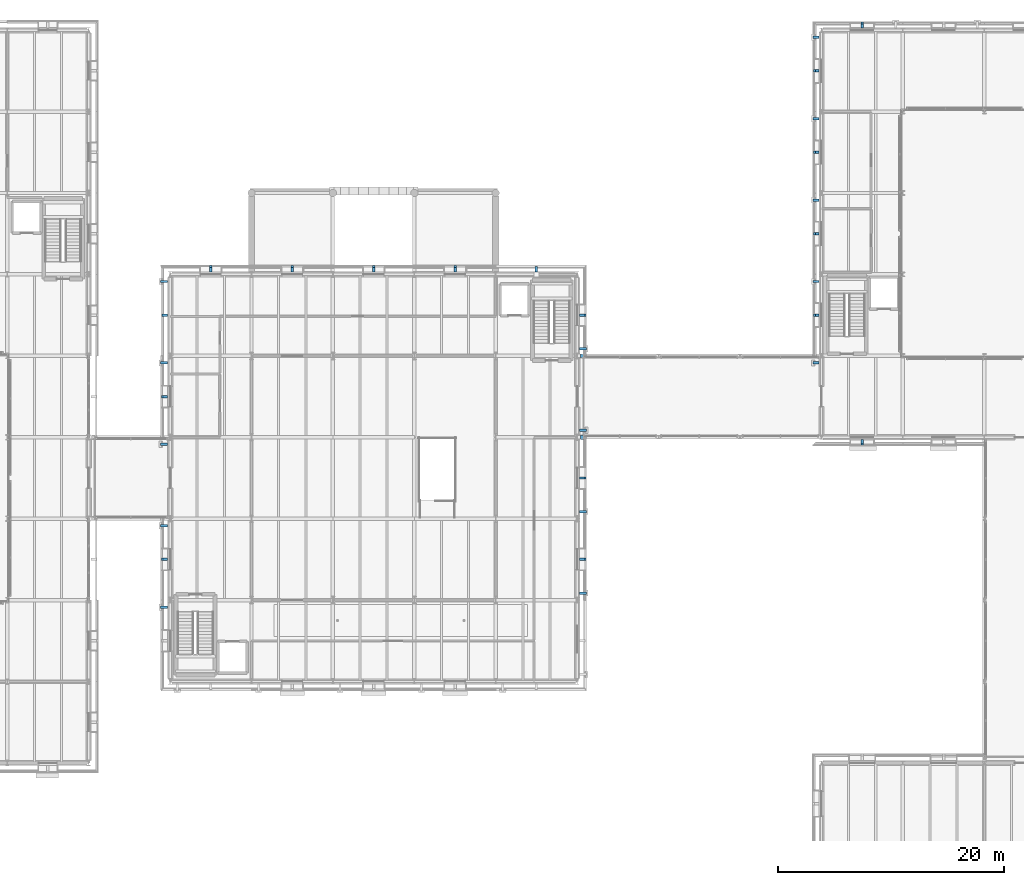
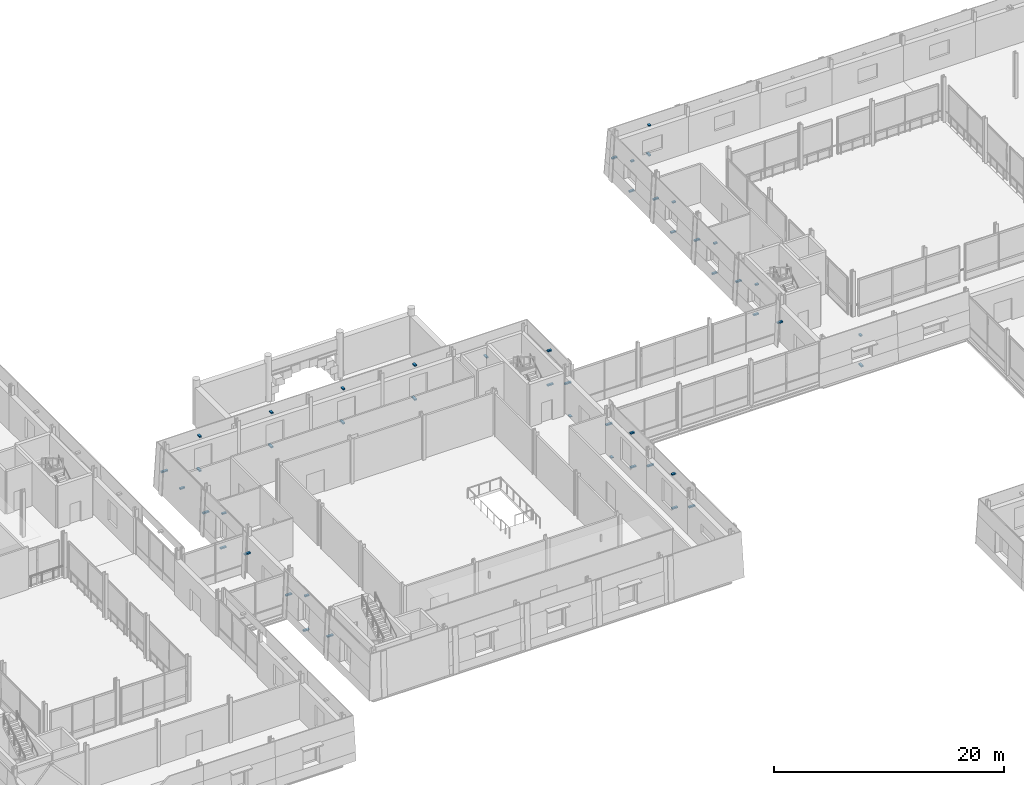
# One storey, part 96 of 121: 48 discrete accessories.
"""IFC4 building model written with IfcOpenShell, lengths in metres."""

from ifc_helpers import new_model, si_unit, direction, frame, origin, origin_2d, place, context, subcontext, project, spatial, rectangle, extrude, material, layer, layer_set, type_object, element, save


model = new_model("IFC4")

# Units and contexts
model_context = context("Model", 3, precision=1e-05, world=origin(), true_north=direction((0.0, 1.0)))
body_context = subcontext(model_context, "Body", "Model", "MODEL_VIEW")
ifc_project = project(units=[si_unit("LENGTHUNIT", "METRE"), si_unit("AREAUNIT", "SQUARE_METRE"), si_unit("VOLUMEUNIT", "CUBIC_METRE"), si_unit("PLANEANGLEUNIT", "RADIAN"), si_unit("MASSUNIT", "GRAM", prefix="KILO")], contexts=[model_context])

# Site, building, storey
site_placement = place(None, origin())
site = spatial("IfcSite", under=ifc_project, at=site_placement, CompositionType="ELEMENT")
building_placement = place(site_placement, origin())
building = spatial("IfcBuilding", under=site, at=building_placement, Name="Narikvali Park Central Library", CompositionType="ELEMENT")
storey_placement = place(building_placement, frame((0.0, 0.0, 5.39990234375)))
storey = spatial("IfcBuildingStorey", under=building, at=storey_placement, Name="L01", CompositionType="ELEMENT", Elevation=5.39990234375)

# Discrete accessories
ifc_material = material(Name="Brushed Stainless Steel S355", Category="steel")
ifc_layer_1 = layer(ifc_material, 0.139892578125, Name="Brushed Stainless Steel S355")
ifc_layer_set_1 = layer_set([ifc_layer_1], Name="Brushed Stainless Steel S355")
discrete_accessory_type_1 = type_object("IfcDiscreteAccessoryType", Name="Cladding Stainless Tie-Back Corbel Bracket", PredefinedType="BRACKET", material=ifc_layer_set_1)
discrete_accessory_1_placement = place(storey_placement, frame((101.325439453125, 65.425048828125, 2.330078125), z_axis=(0.0, 0.0, 1.0), x_axis=(1.0, 0.0, 0.0)))
element("IfcDiscreteAccessory", 1, at=discrete_accessory_1_placement, inside=storey, type_object=discrete_accessory_type_1, Name="Limestone Cladding Tie-Back Bracket V1-PIL-L01-E-B02", PredefinedType="BRACKET", context=body_context, shape_type="SweptSolid", body=[
    extrude(rectangle(XDim=0.630859375, YDim=0.219970703125, at=origin_2d()), origin(), (0.0, 0.0, 1.0), 0.139892578125),
])
discrete_accessory_2_placement = place(storey_placement, frame((101.29541015625, 68.39990234375, 0.38037109375), z_axis=(0.0, 0.0, 1.0), x_axis=(1.0, 0.0, 0.0)))
element("IfcDiscreteAccessory", 2, at=discrete_accessory_2_placement, inside=storey, type_object=discrete_accessory_type_1, Name="Limestone Cladding Tie-Back Bracket V1-CLD-L01-E-B02-SP", PredefinedType="BRACKET", context=body_context, shape_type="SweptSolid", body=[
    extrude(rectangle(XDim=0.570556640625, YDim=0.219970703125, at=origin_2d()), origin(), (0.0, 0.0, 1.0), 0.139892578125),
])
discrete_accessory_3_placement = place(storey_placement, frame((101.22119140625, 68.39990234375, 4.00537109375), z_axis=(0.0, 0.0, 1.0), x_axis=(1.0, 0.0, 0.0)))
element("IfcDiscreteAccessory", 3, at=discrete_accessory_3_placement, inside=storey, type_object=discrete_accessory_type_1, Name="Limestone Cladding Tie-Back Bracket V1-CLD-L01-E-B02-LN", PredefinedType="BRACKET", context=body_context, shape_type="SweptSolid", body=[
    extrude(rectangle(XDim=0.42236328125, YDim=0.219970703125, at=origin_2d()), origin(), (0.0, 0.0, 1.0), 0.139892578125),
])
discrete_accessory_4_placement = place(storey_placement, frame((101.325439453125, 72.625, 2.330078125), z_axis=(0.0, 0.0, 1.0), x_axis=(1.0, 0.0, 0.0)))
element("IfcDiscreteAccessory", 4, at=discrete_accessory_4_placement, inside=storey, type_object=discrete_accessory_type_1, Name="Limestone Cladding Tie-Back Bracket V1-PIL-L01-E-B03", PredefinedType="BRACKET", context=body_context, shape_type="SweptSolid", body=[
    extrude(rectangle(XDim=0.630859375, YDim=0.219970703125, at=origin_2d()), origin(), (0.0, 0.0, 1.0), 0.139892578125),
])
discrete_accessory_5_placement = place(storey_placement, frame((101.29541015625, 75.60009765625, 0.38037109375), z_axis=(0.0, 0.0, 1.0), x_axis=(1.0, 0.0, 0.0)))
element("IfcDiscreteAccessory", 5, at=discrete_accessory_5_placement, inside=storey, type_object=discrete_accessory_type_1, Name="Limestone Cladding Tie-Back Bracket V1-CLD-L01-E-B03-SP", PredefinedType="BRACKET", context=body_context, shape_type="SweptSolid", body=[
    extrude(rectangle(XDim=0.570556640625, YDim=0.219970703125, at=origin_2d()), origin(), (0.0, 0.0, 1.0), 0.139892578125),
])
discrete_accessory_6_placement = place(storey_placement, frame((101.22119140625, 75.60009765625, 4.00537109375), z_axis=(0.0, 0.0, 1.0), x_axis=(1.0, 0.0, 0.0)))
element("IfcDiscreteAccessory", 6, at=discrete_accessory_6_placement, inside=storey, type_object=discrete_accessory_type_1, Name="Limestone Cladding Tie-Back Bracket V1-CLD-L01-E-B03-LN", PredefinedType="BRACKET", context=body_context, shape_type="SweptSolid", body=[
    extrude(rectangle(XDim=0.42236328125, YDim=0.219970703125, at=origin_2d()), origin(), (0.0, 0.0, 1.0), 0.139892578125),
])
for number, where, z_axis, x_axis, name in (
    (7, (101.325439453125, 79.824951171875, 2.330078125), (0.0, 0.0, 1.0), (1.0, 0.0, 0.0), "Limestone Cladding Tie-Back Bracket V1-PIL-L01-E-B04"),
    (8, (101.325439453125, 87.02490234375, 2.330078125), (0.0, 0.0, 1.0), (1.0, 0.0, 0.0), "Limestone Cladding Tie-Back Bracket V1-PIL-L01-E-B05"),
):
    element("IfcDiscreteAccessory", number, at=place(storey_placement, frame(where, z_axis=z_axis, x_axis=x_axis)), inside=storey, type_object=discrete_accessory_type_1, Name=name, PredefinedType="BRACKET", context=body_context, shape_type="SweptSolid", body=[
        extrude(rectangle(XDim=0.630859375, YDim=0.219970703125, at=origin_2d()), origin(), (0.0, 0.0, 1.0), 0.139892578125),
    ])
discrete_accessory_7_placement = place(storey_placement, frame((101.29541015625, 90.0, 0.38037109375), z_axis=(0.0, 0.0, 1.0), x_axis=(1.0, 0.0, 0.0)))
element("IfcDiscreteAccessory", 9, at=discrete_accessory_7_placement, inside=storey, type_object=discrete_accessory_type_1, Name="Limestone Cladding Tie-Back Bracket V1-CLD-L01-E-B05-SP", PredefinedType="BRACKET", context=body_context, shape_type="SweptSolid", body=[
    extrude(rectangle(XDim=0.570556640625, YDim=0.219970703125, at=origin_2d()), origin(), (0.0, 0.0, 1.0), 0.139892578125),
])
discrete_accessory_8_placement = place(storey_placement, frame((101.22119140625, 90.0, 4.00537109375), z_axis=(0.0, 0.0, 1.0), x_axis=(1.0, 0.0, 0.0)))
element("IfcDiscreteAccessory", 10, at=discrete_accessory_8_placement, inside=storey, type_object=discrete_accessory_type_1, Name="Limestone Cladding Tie-Back Bracket V1-CLD-L01-E-B05-LN", PredefinedType="BRACKET", context=body_context, shape_type="SweptSolid", body=[
    extrude(rectangle(XDim=0.42236328125, YDim=0.219970703125, at=origin_2d()), origin(), (0.0, 0.0, 1.0), 0.139892578125),
])
discrete_accessory_9_placement = place(storey_placement, frame((97.199951171875, 94.055419921875, 2.330078125), z_axis=(0.0, 0.0, 1.0), x_axis=(1.0, 0.0, 0.0)))
element("IfcDiscreteAccessory", 11, at=discrete_accessory_9_placement, inside=storey, type_object=discrete_accessory_type_1, Name="Limestone Cladding Tie-Back Bracket V1-CLD-L01-N-B01-FULL", PredefinedType="BRACKET", context=body_context, shape_type="SweptSolid", body=[
    extrude(rectangle(XDim=0.219970703125, YDim=0.49072265625, at=origin_2d()), origin(), (0.0, 0.0, 1.0), 0.139892578125),
])
discrete_accessory_10_placement = place(storey_placement, frame((90.0, 94.09521484375, 0.38037109375), z_axis=(0.0, 0.0, 1.0), x_axis=(1.0, 0.0, 0.0)))
element("IfcDiscreteAccessory", 12, at=discrete_accessory_10_placement, inside=storey, type_object=discrete_accessory_type_1, Name="Limestone Cladding Tie-Back Bracket V1-CLD-L01-N-B02-SP", PredefinedType="BRACKET", context=body_context, shape_type="SweptSolid", body=[
    extrude(rectangle(XDim=0.219970703125, YDim=0.570556640625, at=origin_2d()), origin(), (0.0, 0.0, 1.0), 0.139892578125),
])
discrete_accessory_11_placement = place(storey_placement, frame((90.0, 94.02099609375, 4.00537109375), z_axis=(0.0, 0.0, 1.0), x_axis=(1.0, 0.0, 0.0)))
element("IfcDiscreteAccessory", 13, at=discrete_accessory_11_placement, inside=storey, type_object=discrete_accessory_type_1, Name="Limestone Cladding Tie-Back Bracket V1-CLD-L01-N-B02-LN", PredefinedType="BRACKET", context=body_context, shape_type="SweptSolid", body=[
    extrude(rectangle(XDim=0.219970703125, YDim=0.42236328125, at=origin_2d()), origin(), (0.0, 0.0, 1.0), 0.139892578125),
])
discrete_accessory_12_placement = place(storey_placement, frame((82.800048828125, 94.09521484375, 0.38037109375), z_axis=(0.0, 0.0, 1.0), x_axis=(1.0, 0.0, 0.0)))
element("IfcDiscreteAccessory", 14, at=discrete_accessory_12_placement, inside=storey, type_object=discrete_accessory_type_1, Name="Limestone Cladding Tie-Back Bracket V1-CLD-L01-N-B03-SP", PredefinedType="BRACKET", context=body_context, shape_type="SweptSolid", body=[
    extrude(rectangle(XDim=0.219970703125, YDim=0.570556640625, at=origin_2d()), origin(), (0.0, 0.0, 1.0), 0.139892578125),
])
discrete_accessory_13_placement = place(storey_placement, frame((82.800048828125, 94.02099609375, 4.00537109375), z_axis=(0.0, 0.0, 1.0), x_axis=(1.0, 0.0, 0.0)))
element("IfcDiscreteAccessory", 15, at=discrete_accessory_13_placement, inside=storey, type_object=discrete_accessory_type_1, Name="Limestone Cladding Tie-Back Bracket V1-CLD-L01-N-B03-LN", PredefinedType="BRACKET", context=body_context, shape_type="SweptSolid", body=[
    extrude(rectangle(XDim=0.219970703125, YDim=0.42236328125, at=origin_2d()), origin(), (0.0, 0.0, 1.0), 0.139892578125),
])
discrete_accessory_14_placement = place(storey_placement, frame((75.60009765625, 94.09521484375, 0.38037109375), z_axis=(0.0, 0.0, 1.0), x_axis=(1.0, 0.0, 0.0)))
element("IfcDiscreteAccessory", 16, at=discrete_accessory_14_placement, inside=storey, type_object=discrete_accessory_type_1, Name="Limestone Cladding Tie-Back Bracket V1-CLD-L01-N-B04-SP", PredefinedType="BRACKET", context=body_context, shape_type="SweptSolid", body=[
    extrude(rectangle(XDim=0.219970703125, YDim=0.570556640625, at=origin_2d()), origin(), (0.0, 0.0, 1.0), 0.139892578125),
])
discrete_accessory_15_placement = place(storey_placement, frame((75.60009765625, 94.02099609375, 4.00537109375), z_axis=(0.0, 0.0, 1.0), x_axis=(1.0, 0.0, 0.0)))
element("IfcDiscreteAccessory", 17, at=discrete_accessory_15_placement, inside=storey, type_object=discrete_accessory_type_1, Name="Limestone Cladding Tie-Back Bracket V1-CLD-L01-N-B04-LN", PredefinedType="BRACKET", context=body_context, shape_type="SweptSolid", body=[
    extrude(rectangle(XDim=0.219970703125, YDim=0.42236328125, at=origin_2d()), origin(), (0.0, 0.0, 1.0), 0.139892578125),
])
discrete_accessory_16_placement = place(storey_placement, frame((68.39990234375, 94.09521484375, 0.38037109375), z_axis=(0.0, 0.0, 1.0), x_axis=(1.0, 0.0, 0.0)))
element("IfcDiscreteAccessory", 18, at=discrete_accessory_16_placement, inside=storey, type_object=discrete_accessory_type_1, Name="Limestone Cladding Tie-Back Bracket V1-CLD-L01-N-B05-SP", PredefinedType="BRACKET", context=body_context, shape_type="SweptSolid", body=[
    extrude(rectangle(XDim=0.219970703125, YDim=0.570556640625, at=origin_2d()), origin(), (0.0, 0.0, 1.0), 0.139892578125),
])
discrete_accessory_17_placement = place(storey_placement, frame((68.39990234375, 94.02099609375, 4.00537109375), z_axis=(0.0, 0.0, 1.0), x_axis=(1.0, 0.0, 0.0)))
element("IfcDiscreteAccessory", 19, at=discrete_accessory_17_placement, inside=storey, type_object=discrete_accessory_type_1, Name="Limestone Cladding Tie-Back Bracket V1-CLD-L01-N-B05-LN", PredefinedType="BRACKET", context=body_context, shape_type="SweptSolid", body=[
    extrude(rectangle(XDim=0.219970703125, YDim=0.42236328125, at=origin_2d()), origin(), (0.0, 0.0, 1.0), 0.139892578125),
])
discrete_accessory_18_placement = place(storey_placement, frame((64.274658203125, 92.97509765625, 2.330078125), z_axis=(0.0, 0.0, 1.0), x_axis=(1.0, 0.0, 0.0)))
element("IfcDiscreteAccessory", 20, at=discrete_accessory_18_placement, inside=storey, type_object=discrete_accessory_type_1, Name="Limestone Cladding Tie-Back Bracket V1-PIL-L01-W-B01", PredefinedType="BRACKET", context=body_context, shape_type="SweptSolid", body=[
    extrude(rectangle(XDim=0.630859375, YDim=0.219970703125, at=origin_2d()), origin(), (0.0, 0.0, 1.0), 0.139892578125),
])
discrete_accessory_19_placement = place(storey_placement, frame((64.344482421875, 90.0, 2.330078125), z_axis=(0.0, 0.0, 1.0), x_axis=(1.0, 0.0, 0.0)))
element("IfcDiscreteAccessory", 21, at=discrete_accessory_19_placement, inside=storey, type_object=discrete_accessory_type_1, Name="Limestone Cladding Tie-Back Bracket V1-CLD-L01-W-B01-FULL", PredefinedType="BRACKET", context=body_context, shape_type="SweptSolid", body=[
    extrude(rectangle(XDim=0.49072265625, YDim=0.219970703125, at=origin_2d()), origin(), (0.0, 0.0, 1.0), 0.139892578125),
])
discrete_accessory_20_placement = place(storey_placement, frame((64.274658203125, 85.77490234375, 2.330078125), z_axis=(0.0, 0.0, 1.0), x_axis=(1.0, 0.0, 0.0)))
element("IfcDiscreteAccessory", 22, at=discrete_accessory_20_placement, inside=storey, type_object=discrete_accessory_type_1, Name="Limestone Cladding Tie-Back Bracket V1-PIL-L01-W-B02", PredefinedType="BRACKET", context=body_context, shape_type="SweptSolid", body=[
    extrude(rectangle(XDim=0.630859375, YDim=0.219970703125, at=origin_2d()), origin(), (0.0, 0.0, 1.0), 0.139892578125),
])
discrete_accessory_21_placement = place(storey_placement, frame((64.3046875, 82.800048828125, 0.38037109375), z_axis=(0.0, 0.0, 1.0), x_axis=(1.0, 0.0, 0.0)))
element("IfcDiscreteAccessory", 23, at=discrete_accessory_21_placement, inside=storey, type_object=discrete_accessory_type_1, Name="Limestone Cladding Tie-Back Bracket V1-CLD-L01-W-B02-SP", PredefinedType="BRACKET", context=body_context, shape_type="SweptSolid", body=[
    extrude(rectangle(XDim=0.570556640625, YDim=0.219970703125, at=origin_2d()), origin(), (0.0, 0.0, 1.0), 0.139892578125),
])
discrete_accessory_22_placement = place(storey_placement, frame((64.37890625, 82.800048828125, 4.00537109375), z_axis=(0.0, 0.0, 1.0), x_axis=(1.0, 0.0, 0.0)))
element("IfcDiscreteAccessory", 24, at=discrete_accessory_22_placement, inside=storey, type_object=discrete_accessory_type_1, Name="Limestone Cladding Tie-Back Bracket V1-CLD-L01-W-B02-LN", PredefinedType="BRACKET", context=body_context, shape_type="SweptSolid", body=[
    extrude(rectangle(XDim=0.42236328125, YDim=0.219970703125, at=origin_2d()), origin(), (0.0, 0.0, 1.0), 0.139892578125),
])
for number, where, z_axis, x_axis, name in (
    (25, (64.274658203125, 78.574951171875, 2.330078125), (0.0, 0.0, 1.0), (1.0, 0.0, 0.0), "Limestone Cladding Tie-Back Bracket V1-PIL-L01-W-B03"),
    (26, (64.274658203125, 71.375, 2.330078125), (0.0, 0.0, 1.0), (1.0, 0.0, 0.0), "Limestone Cladding Tie-Back Bracket V1-PIL-L01-W-B04"),
):
    element("IfcDiscreteAccessory", number, at=place(storey_placement, frame(where, z_axis=z_axis, x_axis=x_axis)), inside=storey, type_object=discrete_accessory_type_1, Name=name, PredefinedType="BRACKET", context=body_context, shape_type="SweptSolid", body=[
        extrude(rectangle(XDim=0.630859375, YDim=0.219970703125, at=origin_2d()), origin(), (0.0, 0.0, 1.0), 0.139892578125),
    ])
discrete_accessory_23_placement = place(storey_placement, frame((64.3046875, 68.39990234375, 0.38037109375), z_axis=(0.0, 0.0, 1.0), x_axis=(1.0, 0.0, 0.0)))
element("IfcDiscreteAccessory", 27, at=discrete_accessory_23_placement, inside=storey, type_object=discrete_accessory_type_1, Name="Limestone Cladding Tie-Back Bracket V1-CLD-L01-W-B04-SP", PredefinedType="BRACKET", context=body_context, shape_type="SweptSolid", body=[
    extrude(rectangle(XDim=0.570556640625, YDim=0.219970703125, at=origin_2d()), origin(), (0.0, 0.0, 1.0), 0.139892578125),
])
discrete_accessory_24_placement = place(storey_placement, frame((64.37890625, 68.39990234375, 4.00537109375), z_axis=(0.0, 0.0, 1.0), x_axis=(1.0, 0.0, 0.0)))
element("IfcDiscreteAccessory", 28, at=discrete_accessory_24_placement, inside=storey, type_object=discrete_accessory_type_1, Name="Limestone Cladding Tie-Back Bracket V1-CLD-L01-W-B04-LN", PredefinedType="BRACKET", context=body_context, shape_type="SweptSolid", body=[
    extrude(rectangle(XDim=0.42236328125, YDim=0.219970703125, at=origin_2d()), origin(), (0.0, 0.0, 1.0), 0.139892578125),
])
discrete_accessory_25_placement = place(storey_placement, frame((64.274658203125, 64.175048828125, 2.330078125), z_axis=(0.0, 0.0, 1.0), x_axis=(1.0, 0.0, 0.0)))
element("IfcDiscreteAccessory", 29, at=discrete_accessory_25_placement, inside=storey, type_object=discrete_accessory_type_1, Name="Limestone Cladding Tie-Back Bracket V1-PIL-L01-W-B05", PredefinedType="BRACKET", context=body_context, shape_type="SweptSolid", body=[
    extrude(rectangle(XDim=0.630859375, YDim=0.219970703125, at=origin_2d()), origin(), (0.0, 0.0, 1.0), 0.139892578125),
])
discrete_accessory_26_placement = place(storey_placement, frame((126.0, 78.743408203125, 0.60498046875), z_axis=(0.0, 0.0, 1.0), x_axis=(1.0, 0.0, 0.0)))
element("IfcDiscreteAccessory", 30, at=discrete_accessory_26_placement, inside=storey, type_object=discrete_accessory_type_1, Name="Limestone Cladding Tie-Back Bracket V3-CLD-L01-S-B01-SP", PredefinedType="BRACKET", context=body_context, shape_type="SweptSolid", body=[
    extrude(rectangle(XDim=0.219970703125, YDim=0.493408203125, at=origin_2d()), origin(), (0.0, 0.0, 1.0), 0.139892578125),
])
discrete_accessory_27_placement = place(storey_placement, frame((126.0, 78.825439453125, 3.75537109375), z_axis=(0.0, 0.0, 1.0), x_axis=(1.0, 0.0, 0.0)))
element("IfcDiscreteAccessory", 31, at=discrete_accessory_27_placement, inside=storey, type_object=discrete_accessory_type_1, Name="Limestone Cladding Tie-Back Bracket V3-CLD-L01-S-B01-LN", PredefinedType="BRACKET", context=body_context, shape_type="SweptSolid", body=[
    extrude(rectangle(XDim=0.219970703125, YDim=0.3291015625, at=origin_2d()), origin(), (0.0, 0.0, 1.0), 0.139892578125),
])
discrete_accessory_28_placement = place(storey_placement, frame((126.0, 115.65673828125, 0.60498046875), z_axis=(0.0, 0.0, 1.0), x_axis=(1.0, 0.0, 0.0)))
element("IfcDiscreteAccessory", 32, at=discrete_accessory_28_placement, inside=storey, type_object=discrete_accessory_type_1, Name="Limestone Cladding Tie-Back Bracket V3-CLD-L01-N-B06-SP", PredefinedType="BRACKET", context=body_context, shape_type="SweptSolid", body=[
    extrude(rectangle(XDim=0.219970703125, YDim=0.493408203125, at=origin_2d()), origin(), (0.0, 0.0, 1.0), 0.139892578125),
])
discrete_accessory_29_placement = place(storey_placement, frame((126.0, 115.57470703125, 3.75537109375), z_axis=(0.0, 0.0, 1.0), x_axis=(1.0, 0.0, 0.0)))
element("IfcDiscreteAccessory", 33, at=discrete_accessory_29_placement, inside=storey, type_object=discrete_accessory_type_1, Name="Limestone Cladding Tie-Back Bracket V3-CLD-L01-N-B06-LN", PredefinedType="BRACKET", context=body_context, shape_type="SweptSolid", body=[
    extrude(rectangle(XDim=0.219970703125, YDim=0.3291015625, at=origin_2d()), origin(), (0.0, 0.0, 1.0), 0.139892578125),
])
discrete_accessory_30_placement = place(storey_placement, frame((121.918212890625, 114.574951171875, 2.330078125), z_axis=(0.0, 0.0, 1.0), x_axis=(1.0, 0.0, 0.0)))
element("IfcDiscreteAccessory", 34, at=discrete_accessory_30_placement, inside=storey, type_object=discrete_accessory_type_1, Name="Limestone Cladding Tie-Back Bracket V3-PIL-L01-W-B01", PredefinedType="BRACKET", context=body_context, shape_type="SweptSolid", body=[
    extrude(rectangle(XDim=0.54345703125, YDim=0.219970703125, at=origin_2d()), origin(), (0.0, 0.0, 1.0), 0.139892578125),
])
discrete_accessory_31_placement = place(storey_placement, frame((121.943359375, 111.60009765625, 0.60498046875), z_axis=(0.0, 0.0, 1.0), x_axis=(1.0, 0.0, 0.0)))
element("IfcDiscreteAccessory", 35, at=discrete_accessory_31_placement, inside=storey, type_object=discrete_accessory_type_1, Name="Limestone Cladding Tie-Back Bracket V3-CLD-L01-W-B01-SP", PredefinedType="BRACKET", context=body_context, shape_type="SweptSolid", body=[
    extrude(rectangle(XDim=0.493408203125, YDim=0.219970703125, at=origin_2d()), origin(), (0.0, 0.0, 1.0), 0.139892578125),
])
discrete_accessory_32_placement = place(storey_placement, frame((122.025390625, 111.60009765625, 3.75537109375), z_axis=(0.0, 0.0, 1.0), x_axis=(1.0, 0.0, 0.0)))
element("IfcDiscreteAccessory", 36, at=discrete_accessory_32_placement, inside=storey, type_object=discrete_accessory_type_1, Name="Limestone Cladding Tie-Back Bracket V3-CLD-L01-W-B01-LN", PredefinedType="BRACKET", context=body_context, shape_type="SweptSolid", body=[
    extrude(rectangle(XDim=0.3291015625, YDim=0.219970703125, at=origin_2d()), origin(), (0.0, 0.0, 1.0), 0.139892578125),
])
discrete_accessory_33_placement = place(storey_placement, frame((121.918212890625, 107.375, 2.330078125), z_axis=(0.0, 0.0, 1.0), x_axis=(1.0, 0.0, 0.0)))
element("IfcDiscreteAccessory", 37, at=discrete_accessory_33_placement, inside=storey, type_object=discrete_accessory_type_1, Name="Limestone Cladding Tie-Back Bracket V3-PIL-L01-W-B02", PredefinedType="BRACKET", context=body_context, shape_type="SweptSolid", body=[
    extrude(rectangle(XDim=0.54345703125, YDim=0.219970703125, at=origin_2d()), origin(), (0.0, 0.0, 1.0), 0.139892578125),
])
discrete_accessory_34_placement = place(storey_placement, frame((121.943359375, 104.39990234375, 0.60498046875), z_axis=(0.0, 0.0, 1.0), x_axis=(1.0, 0.0, 0.0)))
element("IfcDiscreteAccessory", 38, at=discrete_accessory_34_placement, inside=storey, type_object=discrete_accessory_type_1, Name="Limestone Cladding Tie-Back Bracket V3-CLD-L01-W-B02-SP", PredefinedType="BRACKET", context=body_context, shape_type="SweptSolid", body=[
    extrude(rectangle(XDim=0.493408203125, YDim=0.219970703125, at=origin_2d()), origin(), (0.0, 0.0, 1.0), 0.139892578125),
])
discrete_accessory_35_placement = place(storey_placement, frame((122.025390625, 104.39990234375, 3.75537109375), z_axis=(0.0, 0.0, 1.0), x_axis=(1.0, 0.0, 0.0)))
element("IfcDiscreteAccessory", 39, at=discrete_accessory_35_placement, inside=storey, type_object=discrete_accessory_type_1, Name="Limestone Cladding Tie-Back Bracket V3-CLD-L01-W-B02-LN", PredefinedType="BRACKET", context=body_context, shape_type="SweptSolid", body=[
    extrude(rectangle(XDim=0.3291015625, YDim=0.219970703125, at=origin_2d()), origin(), (0.0, 0.0, 1.0), 0.139892578125),
])
discrete_accessory_36_placement = place(storey_placement, frame((121.918212890625, 100.175048828125, 2.330078125), z_axis=(0.0, 0.0, 1.0), x_axis=(1.0, 0.0, 0.0)))
element("IfcDiscreteAccessory", 40, at=discrete_accessory_36_placement, inside=storey, type_object=discrete_accessory_type_1, Name="Limestone Cladding Tie-Back Bracket V3-PIL-L01-W-B03", PredefinedType="BRACKET", context=body_context, shape_type="SweptSolid", body=[
    extrude(rectangle(XDim=0.54345703125, YDim=0.219970703125, at=origin_2d()), origin(), (0.0, 0.0, 1.0), 0.139892578125),
])
discrete_accessory_37_placement = place(storey_placement, frame((121.943359375, 97.199951171875, 0.60498046875), z_axis=(0.0, 0.0, 1.0), x_axis=(1.0, 0.0, 0.0)))
element("IfcDiscreteAccessory", 41, at=discrete_accessory_37_placement, inside=storey, type_object=discrete_accessory_type_1, Name="Limestone Cladding Tie-Back Bracket V3-CLD-L01-W-B03-SP", PredefinedType="BRACKET", context=body_context, shape_type="SweptSolid", body=[
    extrude(rectangle(XDim=0.493408203125, YDim=0.219970703125, at=origin_2d()), origin(), (0.0, 0.0, 1.0), 0.139892578125),
])
discrete_accessory_38_placement = place(storey_placement, frame((122.025390625, 97.199951171875, 3.75537109375), z_axis=(0.0, 0.0, 1.0), x_axis=(1.0, 0.0, 0.0)))
element("IfcDiscreteAccessory", 42, at=discrete_accessory_38_placement, inside=storey, type_object=discrete_accessory_type_1, Name="Limestone Cladding Tie-Back Bracket V3-CLD-L01-W-B03-LN", PredefinedType="BRACKET", context=body_context, shape_type="SweptSolid", body=[
    extrude(rectangle(XDim=0.3291015625, YDim=0.219970703125, at=origin_2d()), origin(), (0.0, 0.0, 1.0), 0.139892578125),
])
discrete_accessory_39_placement = place(storey_placement, frame((121.918212890625, 92.97509765625, 2.330078125), z_axis=(0.0, 0.0, 1.0), x_axis=(1.0, 0.0, 0.0)))
element("IfcDiscreteAccessory", 43, at=discrete_accessory_39_placement, inside=storey, type_object=discrete_accessory_type_1, Name="Limestone Cladding Tie-Back Bracket V3-PIL-L01-W-B04", PredefinedType="BRACKET", context=body_context, shape_type="SweptSolid", body=[
    extrude(rectangle(XDim=0.54345703125, YDim=0.219970703125, at=origin_2d()), origin(), (0.0, 0.0, 1.0), 0.139892578125),
])
discrete_accessory_40_placement = place(storey_placement, frame((121.943359375, 90.0, 0.60498046875), z_axis=(0.0, 0.0, 1.0), x_axis=(1.0, 0.0, 0.0)))
element("IfcDiscreteAccessory", 44, at=discrete_accessory_40_placement, inside=storey, type_object=discrete_accessory_type_1, Name="Limestone Cladding Tie-Back Bracket V3-CLD-L01-W-B04-SP", PredefinedType="BRACKET", context=body_context, shape_type="SweptSolid", body=[
    extrude(rectangle(XDim=0.493408203125, YDim=0.219970703125, at=origin_2d()), origin(), (0.0, 0.0, 1.0), 0.139892578125),
])
discrete_accessory_41_placement = place(storey_placement, frame((122.025390625, 90.0, 3.75537109375), z_axis=(0.0, 0.0, 1.0), x_axis=(1.0, 0.0, 0.0)))
element("IfcDiscreteAccessory", 45, at=discrete_accessory_41_placement, inside=storey, type_object=discrete_accessory_type_1, Name="Limestone Cladding Tie-Back Bracket V3-CLD-L01-W-B04-LN", PredefinedType="BRACKET", context=body_context, shape_type="SweptSolid", body=[
    extrude(rectangle(XDim=0.3291015625, YDim=0.219970703125, at=origin_2d()), origin(), (0.0, 0.0, 1.0), 0.139892578125),
])
discrete_accessory_42_placement = place(storey_placement, frame((121.918212890625, 85.77490234375, 2.330078125), z_axis=(0.0, 0.0, 1.0), x_axis=(1.0, 0.0, 0.0)))
element("IfcDiscreteAccessory", 46, at=discrete_accessory_42_placement, inside=storey, type_object=discrete_accessory_type_1, Name="Limestone Cladding Tie-Back Bracket V3-PIL-L01-W-B05", PredefinedType="BRACKET", context=body_context, shape_type="SweptSolid", body=[
    extrude(rectangle(XDim=0.54345703125, YDim=0.219970703125, at=origin_2d()), origin(), (0.0, 0.0, 1.0), 0.139892578125),
])
ifc_layer_2 = layer(ifc_material, 0.080078125, Name="Brushed Stainless Steel S355")
ifc_layer_set_2 = layer_set([ifc_layer_2], Name="Brushed Stainless Steel S355")
discrete_accessory_type_2 = type_object("IfcDiscreteAccessoryType", Name="Unguided PTFE Sliding Bridge Bearing", PredefinedType="BRACKET", material=ifc_layer_set_2)
for number, where, z_axis, x_axis, name in (
    (47, (101.22998046875, 79.199951171875, -0.719970703125), (0.0, 0.0, 1.0), (1.0, 0.0, 0.0), "BRG-3 L01 Unguided PTFE Sliding Bearing 1"),
    (48, (101.22998046875, 86.39990234375, -0.719970703125), (0.0, 0.0, 1.0), (1.0, 0.0, 0.0), "BRG-3 L01 Unguided PTFE Sliding Bearing 2"),
):
    element("IfcDiscreteAccessory", number, at=place(storey_placement, frame(where, z_axis=z_axis, x_axis=x_axis)), inside=storey, type_object=discrete_accessory_type_2, Name=name, PredefinedType="BRACKET", context=body_context, shape_type="SweptSolid", body=[
        extrude(rectangle(XDim=0.239990234375, YDim=0.360107421875, at=origin_2d()), origin(), (0.0, 0.0, 1.0), 0.080078125),
    ])

save(model, "model.ifc")
